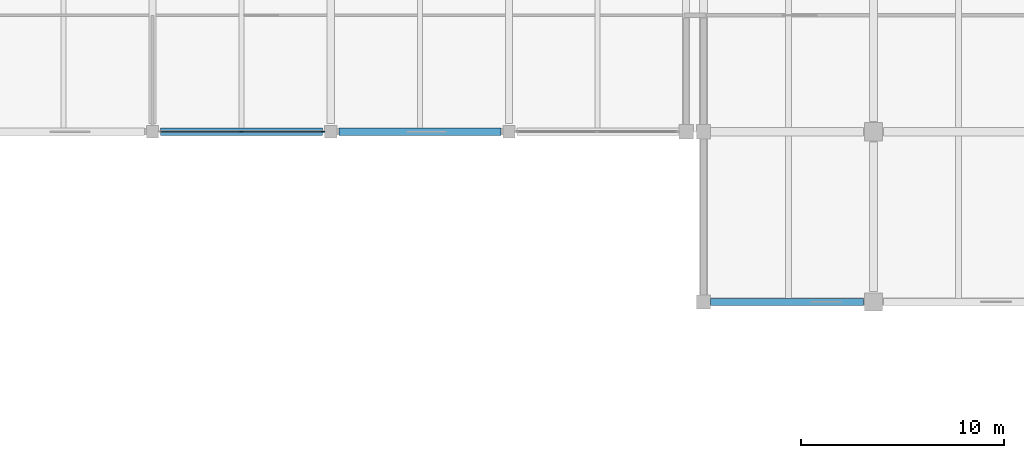
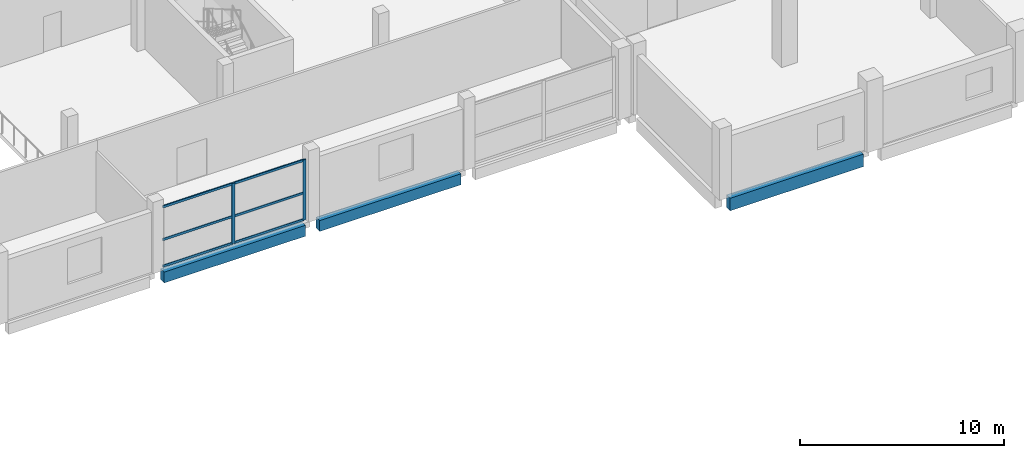
# One storey, part 8 of 38: 8 members, 3 beams, 1 element without a shape of its own.
"""IFC4 building model written with IfcOpenShell, lengths in metres."""

from ifc_helpers import new_model, si_unit, direction, frame, origin, origin_2d, place, context, subcontext, project, spatial, rectangle, extrude, material, material_profile, profile_set, type_object, element, aggregate, save


model = new_model("IFC4")

# Units and contexts
model_context = context("Model", 3, precision=1e-05, world=origin(), true_north=direction((0.0, 1.0)))
body_context = subcontext(model_context, "Body", "Model", "MODEL_VIEW")
ifc_project = project(units=[si_unit("LENGTHUNIT", "METRE"), si_unit("AREAUNIT", "SQUARE_METRE"), si_unit("VOLUMEUNIT", "CUBIC_METRE"), si_unit("PLANEANGLEUNIT", "RADIAN"), si_unit("MASSUNIT", "GRAM", prefix="KILO")], contexts=[model_context])

# Site, building, storey
site_placement = place(None, origin())
site = spatial("IfcSite", under=ifc_project, at=site_placement, CompositionType="ELEMENT")
building_placement = place(site_placement, origin())
building = spatial("IfcBuilding", under=site, at=building_placement, Name="Brinegate Botanical Conservatory", CompositionType="ELEMENT")
storey_placement = place(building_placement, frame((0.0, 0.0, 10.199951171875)))
storey = spatial("IfcBuildingStorey", under=building, at=storey_placement, Name="L03", CompositionType="ELEMENT", Elevation=10.199951171875)

# Beams
ifc_material_1 = material(Name="Concrete C40/50", Category="concrete")
ifc_material_profile_1 = material_profile(ifc_material_1, rectangle(XDim=0.35009765625, YDim=0.64990234375, at=origin_2d()), Name="RC BM 350x650")
ifc_profile_set_1 = profile_set([ifc_material_profile_1], Name="Concrete C40/50")
beam_type_1 = type_object("IfcBeamType", Name="Beam_BM-V3", PredefinedType="BEAM", material=ifc_profile_set_1)
for number, where, z_axis, x_axis, name in (
    (1, (95.199951171875, 86.800048828125, -0.544921875), (1.0, 0.0, 0.0), (0.0, 1.0, 0.0), "Beam BM-V3 L03 L:12-13"),
    (2, (104.0, 86.800048828125, -0.544921875), (1.0, 0.0, 0.0), (0.0, 1.0, 0.0), "Beam BM-V3 L03 L:13-14"),
):
    element("IfcBeam", number, at=place(storey_placement, frame(where, z_axis=z_axis, x_axis=x_axis)), inside=storey, type_object=beam_type_1, Name=name, PredefinedType="BEAM", context=body_context, shape_type="SweptSolid", body=[
        extrude(rectangle(XDim=0.35009765625, YDim=0.64990234375, at=origin_2d()), origin(), (0.0, 0.0, 1.0), 8.0),
    ])
ifc_material_profile_2 = material_profile(ifc_material_1, rectangle(XDim=0.35009765625, YDim=0.75, at=origin_2d()), Name="RC SPN 350x750")
ifc_profile_set_2 = profile_set([ifc_material_profile_2], Name="Concrete C40/50")
beam_type_2 = type_object("IfcBeamType", Name="Beam_SP-01", PredefinedType="SPANDREL", material=ifc_profile_set_2)
beam_placement = place(storey_placement, frame((122.35009765625, 78.39990234375, -0.594970703125), z_axis=(1.0, 0.0, 0.0), x_axis=(0.0, 1.0, 0.0)))
element("IfcBeam", 3, at=beam_placement, inside=storey, type_object=beam_type_2, Name="Beam SP-01 L03 K:16-17", PredefinedType="SPANDREL", context=body_context, shape_type="SweptSolid", body=[
    extrude(rectangle(XDim=0.35009765625, YDim=0.75, at=origin_2d()), origin(), (0.0, 0.0, 1.0), 7.5498046875),
])

# Curtain wall, members
ifc_material_2 = material(Name="Thermally broken anodised aluminium AW-6063-T6", Category="aluminium")
curtain_wall_type = type_object("IfcCurtainWallType", Name="CW_CW-V3", PredefinedType="USERDEFINED", material=ifc_material_2)
curtain_wall_placement = place(storey_placement, origin())
curtain_wall = element("IfcCurtainWall", 4, at=curtain_wall_placement, inside=storey, type_object=curtain_wall_type, Name="Visitor south court curtain wall L03.6", ObjectType="FACTORY CURTAIN WALL", PredefinedType="USERDEFINED")
ifc_material_profile_3 = material_profile(ifc_material_2, rectangle(XDim=0.06494140625, YDim=0.179931640625, at=origin_2d()), Name="ALUM MULLION 65x180")
ifc_profile_set_3 = profile_set([ifc_material_profile_3], Name="Thermally broken anodised aluminium AW-6063-T6")
member_type_1 = type_object("IfcMemberType", Name="Member_ML-02", PredefinedType="MULLION", material=ifc_profile_set_3)
member_1_placement = place(storey_placement, frame((103.2275390625, 86.800048828125, 0.0), z_axis=(0.0, 0.0, 1.0), x_axis=(0.0, -1.0, 0.0)))
member_1 = element("IfcMember", 5, at=member_1_placement, type_object=member_type_1, Name="CW-V3 mullion 1", PredefinedType="MULLION", context=body_context, shape_type="SweptSolid", body=[
    extrude(rectangle(XDim=0.06494140625, YDim=0.179931640625, at=origin_2d()), origin(), (0.0, 0.0, 1.0), 3.610107421875),
])
member_2_placement = place(storey_placement, frame((99.199951171875, 86.800048828125, 0.0), z_axis=(0.0, 0.0, 1.0), x_axis=(0.0, -1.0, 0.0)))
member_2 = element("IfcMember", 6, at=member_2_placement, type_object=member_type_1, Name="CW-V3 mullion 2", PredefinedType="MULLION", context=body_context, shape_type="SweptSolid", body=[
    extrude(rectangle(XDim=0.06494140625, YDim=0.179931640625, at=origin_2d()), origin(), (0.0, 0.0, 1.0), 3.610107421875),
])
ifc_material_profile_4 = material_profile(ifc_material_2, rectangle(XDim=0.06494140625, YDim=0.135009765625, at=origin_2d()), Name="ALUM TRANSOM 65x135")
ifc_profile_set_4 = profile_set([ifc_material_profile_4], Name="Thermally broken anodised aluminium AW-6063-T6")
member_type_2 = type_object("IfcMemberType", Name="Member_TR-02", PredefinedType="USERDEFINED", material=ifc_profile_set_4)
member_3_placement = place(storey_placement, frame((103.195068359375, 86.800048828125, 0.032470703125), z_axis=(-1.0, 0.0, 0.0), x_axis=(0.0, -1.0, 0.0)))
member_3 = element("IfcMember", 7, at=member_3_placement, type_object=member_type_2, Name="CW-V3 transom 1.1", ObjectType="TRANSOM", PredefinedType="USERDEFINED", context=body_context, shape_type="SweptSolid", body=[
    extrude(rectangle(XDim=0.06494140625, YDim=0.135009765625, at=origin_2d()), origin(), (0.0, 0.0, 1.0), 3.962646484375),
])
member_4_placement = place(storey_placement, frame((103.195068359375, 86.800048828125, 1.625), z_axis=(-1.0, 0.0, 0.0), x_axis=(0.0, -1.0, 0.0)))
member_4 = element("IfcMember", 8, at=member_4_placement, type_object=member_type_2, Name="CW-V3 transom 1.2", ObjectType="TRANSOM", PredefinedType="USERDEFINED", context=body_context, shape_type="SweptSolid", body=[
    extrude(rectangle(XDim=0.06494140625, YDim=0.135009765625, at=origin_2d()), origin(), (0.0, 0.0, 1.0), 3.962646484375),
])
member_5_placement = place(storey_placement, frame((103.195068359375, 86.800048828125, 3.57763671875), z_axis=(-1.0, 0.0, 0.0), x_axis=(0.0, -1.0, 0.0)))
member_5 = element("IfcMember", 9, at=member_5_placement, type_object=member_type_2, Name="CW-V3 transom 1.3", ObjectType="TRANSOM", PredefinedType="USERDEFINED", context=body_context, shape_type="SweptSolid", body=[
    extrude(rectangle(XDim=0.06494140625, YDim=0.135009765625, at=origin_2d()), origin(), (0.0, 0.0, 1.0), 3.962646484375),
])
member_6_placement = place(storey_placement, frame((99.16748046875, 86.800048828125, 0.032470703125), z_axis=(-1.0, 0.0, 0.0), x_axis=(0.0, -1.0, 0.0)))
member_6 = element("IfcMember", 10, at=member_6_placement, type_object=member_type_2, Name="CW-V3 transom 2.1", ObjectType="TRANSOM", PredefinedType="USERDEFINED", context=body_context, shape_type="SweptSolid", body=[
    extrude(rectangle(XDim=0.06494140625, YDim=0.135009765625, at=origin_2d()), origin(), (0.0, 0.0, 1.0), 3.96240234375),
])
member_7_placement = place(storey_placement, frame((99.16748046875, 86.800048828125, 1.625), z_axis=(-1.0, 0.0, 0.0), x_axis=(0.0, -1.0, 0.0)))
member_7 = element("IfcMember", 11, at=member_7_placement, type_object=member_type_2, Name="CW-V3 transom 2.2", ObjectType="TRANSOM", PredefinedType="USERDEFINED", context=body_context, shape_type="SweptSolid", body=[
    extrude(rectangle(XDim=0.06494140625, YDim=0.135009765625, at=origin_2d()), origin(), (0.0, 0.0, 1.0), 3.96240234375),
])
member_8_placement = place(storey_placement, frame((99.16748046875, 86.800048828125, 3.57763671875), z_axis=(-1.0, 0.0, 0.0), x_axis=(0.0, -1.0, 0.0)))
member_8 = element("IfcMember", 12, at=member_8_placement, type_object=member_type_2, Name="CW-V3 transom 2.3", ObjectType="TRANSOM", PredefinedType="USERDEFINED", context=body_context, shape_type="SweptSolid", body=[
    extrude(rectangle(XDim=0.06494140625, YDim=0.135009765625, at=origin_2d()), origin(), (0.0, 0.0, 1.0), 3.96240234375),
])
aggregate(curtain_wall, [member_1, member_2, member_3, member_4, member_5, member_6, member_7, member_8])

save(model, "model.ifc")
